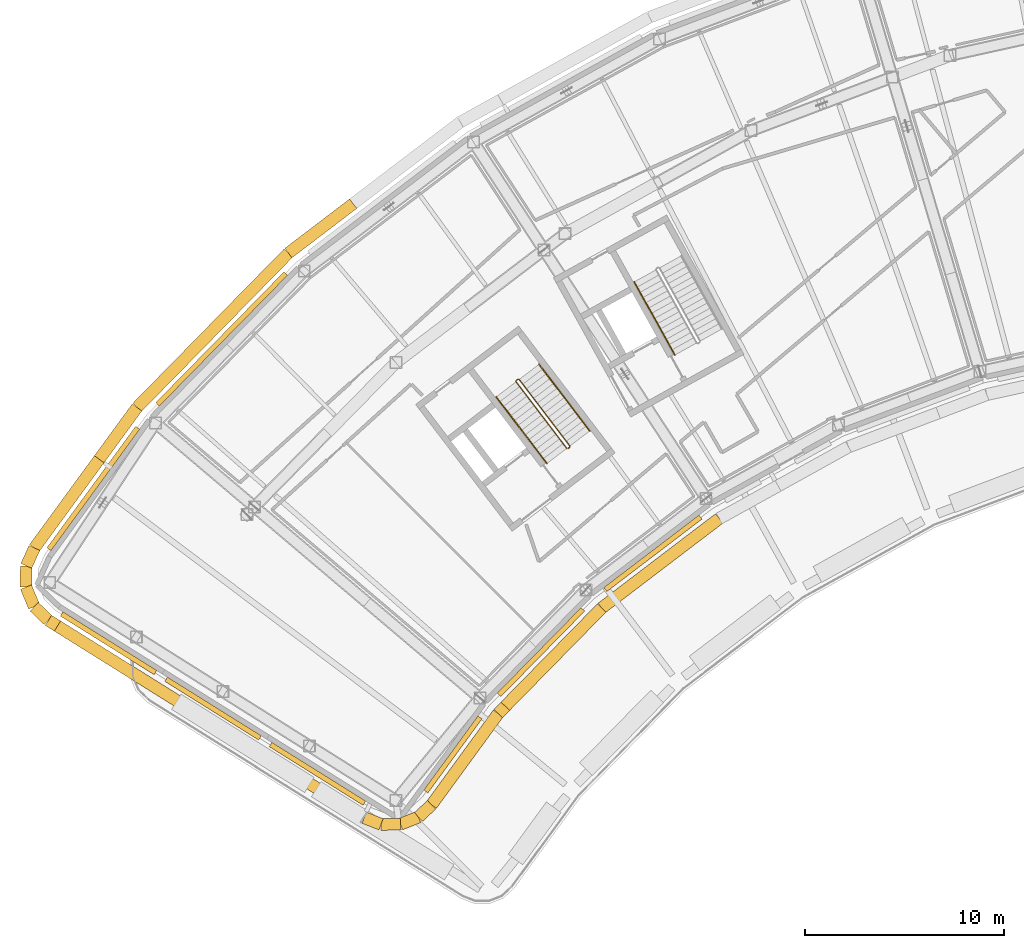
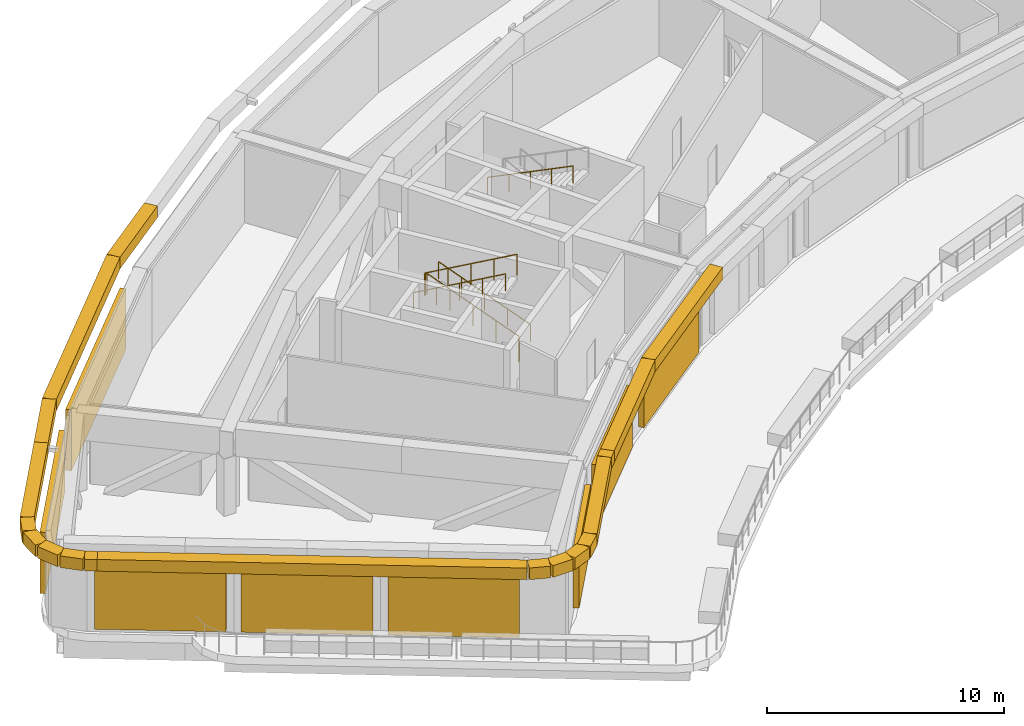
# One storey, part 19 of 24: 18 coverings, 8 shading devices, 4 railings.
"""IFC4 building model written with IfcOpenShell, lengths in metres."""

from ifc_helpers import new_model, si_unit, direction, frame, origin, origin_2d, place, context, subcontext, project, spatial, rectangle, circle, extrude, material, material_profile, profile_set, type_object, element, save


model = new_model("IFC4")

# Units and contexts
model_context = context("Model", 3, precision=1e-05, world=origin(), true_north=direction((0.0, 1.0)))
body_context = subcontext(model_context, "Body", "Model", "MODEL_VIEW")
ifc_project = project(units=[si_unit("LENGTHUNIT", "METRE"), si_unit("AREAUNIT", "SQUARE_METRE"), si_unit("VOLUMEUNIT", "CUBIC_METRE"), si_unit("PLANEANGLEUNIT", "RADIAN"), si_unit("MASSUNIT", "GRAM", prefix="KILO")], contexts=[model_context])

# Site, building, storey
site_placement = place(None, origin())
site = spatial("IfcSite", under=ifc_project, at=site_placement, CompositionType="ELEMENT")
building_placement = place(site_placement, origin())
building = spatial("IfcBuilding", under=site, at=building_placement, Name="Tuul Gate Civic Tower", CompositionType="ELEMENT")
storey_placement = place(building_placement, frame((0.0, 0.0, 315.199951171875)))
storey = spatial("IfcBuildingStorey", under=building, at=storey_placement, Name="Plant and refuge floor 7", CompositionType="ELEMENT", Elevation=315.199951171875)

# Shading devices
ifc_material_1 = material(Name="Aluminium louvre", Category="aluminium")
shading_device_type = type_object("IfcShadingDeviceType", Name="Louvre panel", PredefinedType="USERDEFINED", material=ifc_material_1)
shading_device_1_placement = place(storey_placement, frame((-50.853271484375, -8.072998046875, 0.300048828125), z_axis=(0.0, 0.0, 1.0), x_axis=(-0.714100212908, 0.700043488595, 0.0)))
element("IfcShadingDevice", 1, at=shading_device_1_placement, inside=storey, type_object=shading_device_type, Name="Louvre panel", ObjectType="LOUVRE", PredefinedType="USERDEFINED", context=body_context, shape_type="SweptSolid", body=[
    extrude(rectangle(XDim=0.25, YDim=9.199951171875, at=origin_2d()), origin(), (0.0, 0.0, 1.0), 3.14990234375),
])
shading_device_2_placement = place(storey_placement, frame((-57.294677734375, -15.577880859375, 0.300048828125), z_axis=(0.0, 0.0, 1.0), x_axis=(-0.807578487079, 0.589760109881, 0.0)))
element("IfcShadingDevice", 2, at=shading_device_2_placement, inside=storey, type_object=shading_device_type, Name="Louvre panel", ObjectType="LOUVRE", PredefinedType="USERDEFINED", context=body_context, shape_type="SweptSolid", body=[
    extrude(rectangle(XDim=0.25, YDim=7.550048828125, at=origin_2d()), origin(), (0.0, 0.0, 1.0), 3.14990234375),
])
for number, where, z_axis, x_axis, name in (
    (3, (-56.529541015625, -23.34814453125, 0.300048828125), (0.0, 0.0, 1.0), (-0.529911707044, -0.848052818366, 0.0), "Louvre panel"),
    (4, (-51.2861328125, -26.62451171875, 0.300048828125), (0.0, 0.0, 1.0), (-0.529911707044, -0.848052818366, 0.0), "Louvre panel"),
    (5, (-46.04296875, -29.90087890625, 0.300048828125), (0.0, 0.0, 1.0), (-0.529911707044, -0.848052818366, 0.0), "Louvre panel"),
):
    element("IfcShadingDevice", number, at=place(storey_placement, frame(where, z_axis=z_axis, x_axis=x_axis)), inside=storey, type_object=shading_device_type, Name=name, ObjectType="LOUVRE", PredefinedType="USERDEFINED", context=body_context, shape_type="SweptSolid", body=[
        extrude(rectangle(XDim=0.25, YDim=5.550048828125, at=origin_2d()), origin(), (0.0, 0.0, 1.0), 3.14990234375),
    ])
shading_device_3_placement = place(storey_placement, frame((-39.244140625, -28.927001953125, 0.300048828125), z_axis=(0.0, 0.0, 1.0), x_axis=(0.807595190444, -0.589737236717, 0.0)))
element("IfcShadingDevice", 6, at=shading_device_3_placement, inside=storey, type_object=shading_device_type, Name="Louvre panel", ObjectType="LOUVRE", PredefinedType="USERDEFINED", context=body_context, shape_type="SweptSolid", body=[
    extrude(rectangle(XDim=0.25, YDim=4.60009765625, at=origin_2d()), origin(), (0.0, 0.0, 1.0), 3.14990234375),
])
for number, where, z_axis, x_axis, name in (
    (7, (-34.8212890625, -23.78857421875, 0.300048828125), (0.0, 0.0, 1.0), (0.714048093092, -0.700096651008, 0.0), "Louvre panel"),
    (8, (-29.206298828125, -18.83349609375, 0.300048828125), (0.0, 0.0, 1.0), (0.605851052715, -0.795578092914, 0.0), "Louvre panel"),
):
    element("IfcShadingDevice", number, at=place(storey_placement, frame(where, z_axis=z_axis, x_axis=x_axis)), inside=storey, type_object=shading_device_type, Name=name, ObjectType="LOUVRE", PredefinedType="USERDEFINED", context=body_context, shape_type="SweptSolid", body=[
        extrude(rectangle(XDim=0.25, YDim=6.0, at=origin_2d()), origin(), (0.0, 0.0, 1.0), 3.14990234375),
    ])

# Railings
ifc_material_2 = material(Name="Painted steel", Category="steel")
railing_type_1 = type_object("IfcRailingType", Name="Stair guard", PredefinedType="GUARDRAIL", material=ifc_material_2)
railing_1_placement = place(storey_placement, frame((-33.382080078125, -13.515380859375, 0.0)))
element("IfcRailing", 9, at=railing_1_placement, inside=storey, type_object=railing_type_1, Name="Plant and refuge floor 7 ST-1 stair guard 1", PredefinedType="GUARDRAIL", context=body_context, shape_type="SweptSolid", body=[
    extrude(circle(Radius=0.02392578125, at=origin_2d()), frame((0.0, 0.0, 1.076171875), z_axis=(-0.795879841968, -0.605454603706, 0.0), x_axis=(0.605454603706, -0.795879841968, 0.0)), (0.0, 0.0, 1.0), 0.10009765625),
    extrude(circle(Radius=0.02392578125, at=origin_2d()), frame((-0.07958984375, -0.060546875, 1.076171875), z_axis=(0.408676696321, 0.599019267211, 0.688592241747), x_axis=(-0.826063974707, 0.563576356576, 0.0)), (0.0, 0.0, 1.0), 0.218017578125),
    extrude(circle(Radius=0.02392578125, at=origin_2d()), frame((0.009521484375, 0.070068359375, 1.22607421875), z_axis=(-0.541829058468, 0.711641332238, 0.44720005104), x_axis=(-0.795633173153, -0.605778716842, 0.0)), (0.0, 0.0, 1.0), 4.695556640625),
    extrude(circle(Radius=0.02392578125, at=origin_2d()), frame((-2.53466796875, 3.41162109375, 3.326171875), z_axis=(-0.990893089246, 0.134650977284, 0.0), x_axis=(-0.134650977284, -0.990893089246, 0.0)), (0.0, 0.0, 1.0), 0.07080078125),
    extrude(circle(Radius=0.02392578125, at=origin_2d()), frame((-2.604736328125, 3.421142578125, 3.326171875), z_axis=(-0.795879841968, -0.605454603706, 0.0), x_axis=(0.605454603706, -0.795879841968, 0.0)), (0.0, 0.0, 1.0), 0.10009765625),
    extrude(circle(Radius=0.02392578125, at=origin_2d()), frame((-2.684326171875, 3.360595703125, 3.326171875), z_axis=(-0.057370624079, -0.422188951554, 0.904690610473), x_axis=(0.990893089246, -0.134650977284, 0.0)), (0.0, 0.0, 1.0), 0.166015625),
    extrude(circle(Radius=0.02392578125, at=origin_2d()), frame((-2.69384765625, 3.29052734375, 3.47607421875), z_axis=(0.541829058468, -0.711641332238, 0.44720005104), x_axis=(0.795633173153, 0.605778716842, 0.0)), (0.0, 0.0, 1.0), 4.695556640625),
    extrude(circle(Radius=0.02099609375, at=origin_2d()), origin(), (0.0, 0.0, 1.0), 1.052001953125),
    extrude(circle(Radius=0.02099609375, at=origin_2d()), frame((-0.07958984375, -0.060546875, 0.0)), (0.0, 0.0, 1.0), 1.052001953125),
    extrude(circle(Radius=0.02099609375, at=origin_2d()), frame((0.009521484375, 0.070068359375, 0.150146484375)), (0.0, 0.0, 1.0), 1.052001953125),
    extrude(circle(Radius=0.02099609375, at=origin_2d()), frame((-0.62646484375, 0.905517578125, 0.675048828125)), (0.0, 0.0, 1.0), 1.052001953125),
    extrude(circle(Radius=0.02099609375, at=origin_2d()), frame((-1.2626953125, 1.74072265625, 1.2001953125)), (0.0, 0.0, 1.0), 1.052001953125),
    extrude(circle(Radius=0.02099609375, at=origin_2d()), frame((-1.898681640625, 2.576171875, 1.72509765625)), (0.0, 0.0, 1.0), 1.052001953125),
    extrude(circle(Radius=0.02099609375, at=origin_2d()), frame((-2.53466796875, 3.41162109375, 2.25)), (0.0, 0.0, 1.0), 1.052001953125),
    extrude(circle(Radius=0.02099609375, at=origin_2d()), frame((-2.604736328125, 3.421142578125, 2.25)), (0.0, 0.0, 1.0), 1.052001953125),
    extrude(circle(Radius=0.02099609375, at=origin_2d()), frame((-2.684326171875, 3.360595703125, 2.25)), (0.0, 0.0, 1.0), 1.052001953125),
    extrude(circle(Radius=0.02099609375, at=origin_2d()), frame((-2.69384765625, 3.29052734375, 2.400146484375)), (0.0, 0.0, 1.0), 1.052001953125),
    extrude(circle(Radius=0.02099609375, at=origin_2d()), frame((-2.057861328125, 2.455078125, 2.925048828125)), (0.0, 0.0, 1.0), 1.052001953125),
    extrude(circle(Radius=0.02099609375, at=origin_2d()), frame((-1.421875, 1.61962890625, 3.4501953125)), (0.0, 0.0, 1.0), 1.052001953125),
    extrude(circle(Radius=0.02099609375, at=origin_2d()), frame((-0.78564453125, 0.784423828125, 3.97509765625)), (0.0, 0.0, 1.0), 1.052001953125),
    extrude(circle(Radius=0.02099609375, at=origin_2d()), frame((-0.149658203125, -0.051025390625, 4.5)), (0.0, 0.0, 1.0), 1.052001953125),
])
ifc_material_3 = material(Name="Painted steel", Category="steel")
railing_type_2 = type_object("IfcRailingType", Name="Stair handrail", PredefinedType="HANDRAIL", material=ifc_material_3)
railing_2_placement = place(storey_placement, frame((-32.3779296875, -12.688232421875, 0.150146484375)))
element("IfcRailing", 10, at=railing_2_placement, inside=storey, type_object=railing_type_2, Name="Plant and refuge floor 7 ST-1 stair handrail 1", PredefinedType="HANDRAIL", context=body_context, shape_type="SweptSolid", body=[
    extrude(circle(Radius=0.02392578125, at=origin_2d()), frame((0.0, 0.0, 0.8759765625), z_axis=(-0.541809010604, 0.711666993297, 0.447183504482), x_axis=(-0.795654503725, -0.605750700125, 0.0)), (0.0, 0.0, 1.0), 4.69580078125),
    extrude(circle(Radius=0.02099609375, at=origin_2d()), origin(), (0.0, 0.0, 1.0), 0.851806640625),
    extrude(circle(Radius=0.02099609375, at=origin_2d()), frame((-0.635986328125, 0.83544921875, 0.52490234375)), (0.0, 0.0, 1.0), 0.851806640625),
    extrude(circle(Radius=0.02099609375, at=origin_2d()), frame((-1.27197265625, 1.6708984375, 1.0498046875)), (0.0, 0.0, 1.0), 0.851806640625),
    extrude(circle(Radius=0.02099609375, at=origin_2d()), frame((-1.908203125, 2.50634765625, 1.574951171875)), (0.0, 0.0, 1.0), 0.851806640625),
    extrude(circle(Radius=0.02099609375, at=origin_2d()), frame((-2.544189453125, 3.341796875, 2.099853515625)), (0.0, 0.0, 1.0), 0.851806640625),
])
railing_3_placement = place(storey_placement, frame((-37.0703125, -10.98193359375, 2.400146484375)))
element("IfcRailing", 11, at=railing_3_placement, inside=storey, type_object=railing_type_2, Name="Plant and refuge floor 7 ST-1 stair handrail 2", PredefinedType="HANDRAIL", context=body_context, shape_type="SweptSolid", body=[
    extrude(circle(Radius=0.02392578125, at=origin_2d()), frame((0.0, 0.0, 0.8759765625), z_axis=(0.541809010604, -0.711666993297, 0.447183504482), x_axis=(0.795654503725, 0.605750700125, 0.0)), (0.0, 0.0, 1.0), 4.69580078125),
    extrude(circle(Radius=0.02099609375, at=origin_2d()), origin(), (0.0, 0.0, 1.0), 0.851806640625),
    extrude(circle(Radius=0.02099609375, at=origin_2d()), frame((0.635986328125, -0.83544921875, 0.52490234375)), (0.0, 0.0, 1.0), 0.851806640625),
    extrude(circle(Radius=0.02099609375, at=origin_2d()), frame((1.27197265625, -1.6708984375, 1.0498046875)), (0.0, 0.0, 1.0), 0.851806640625),
    extrude(circle(Radius=0.02099609375, at=origin_2d()), frame((1.908203125, -2.50634765625, 1.574951171875)), (0.0, 0.0, 1.0), 0.851806640625),
    extrude(circle(Radius=0.02099609375, at=origin_2d()), frame((2.544189453125, -3.341796875, 2.099853515625)), (0.0, 0.0, 1.0), 0.851806640625),
])
railing_4_placement = place(storey_placement, frame((-30.142578125, -5.208740234375, 2.400146484375)))
element("IfcRailing", 12, at=railing_4_placement, inside=storey, type_object=railing_type_2, Name="Plant and refuge floor 7 ST-2 stair handrail 2", PredefinedType="HANDRAIL", context=body_context, shape_type="SweptSolid", body=[
    extrude(circle(Radius=0.02392578125, at=origin_2d()), frame((0.0, 0.0, 0.8759765625), z_axis=(0.433608177227, -0.782314417595, 0.447177929536), x_axis=(0.874636671229, 0.484779014956, 0.0)), (0.0, 0.0, 1.0), 4.69580078125),
    extrude(circle(Radius=0.02099609375, at=origin_2d()), origin(), (0.0, 0.0, 1.0), 0.851806640625),
    extrude(circle(Radius=0.02099609375, at=origin_2d()), frame((0.509033203125, -0.91845703125, 0.52490234375)), (0.0, 0.0, 1.0), 0.851806640625),
    extrude(circle(Radius=0.02099609375, at=origin_2d()), frame((1.01806640625, -1.8369140625, 1.0498046875)), (0.0, 0.0, 1.0), 0.851806640625),
    extrude(circle(Radius=0.02099609375, at=origin_2d()), frame((1.527099609375, -2.755126953125, 1.574951171875)), (0.0, 0.0, 1.0), 0.851806640625),
    extrude(circle(Radius=0.02099609375, at=origin_2d()), frame((2.0361328125, -3.673583984375, 2.099853515625)), (0.0, 0.0, 1.0), 0.851806640625),
])

# Coverings
ifc_material_4 = material(Name="Terracotta baguette", Category="masonry")
ifc_material_profile = material_profile(ifc_material_4, rectangle(XDim=0.60009765625, YDim=0.60009765625, at=origin_2d()), Name="Terracotta baguette screen frame")
ifc_profile_set = profile_set([ifc_material_profile], Name="Terracotta baguette")
covering_type = type_object("IfcCoveringType", Name="Terracotta baguette screen frame", PredefinedType="CLADDING", material=ifc_profile_set)
covering_1_placement = place(storey_placement, frame((-56.997802734375, -14.11181640625, 4.150146484375), z_axis=(-0.589768947731, -0.807572032881, 0.0), x_axis=(0.807572032881, -0.589768947731, 0.0)))
element("IfcCovering", 13, at=covering_1_placement, inside=storey, type_object=covering_type, Name="Baguette 129", PredefinedType="CLADDING", context=body_context, shape_type="SweptSolid", body=[
    extrude(rectangle(XDim=0.60009765625, YDim=0.60009765625, at=origin_2d()), origin(), (0.0, 0.0, 1.0), 5.5126953125),
])
covering_2_placement = place(storey_placement, frame((-60.2490234375, -18.563720703125, 4.150146484375), z_axis=(-0.413598168861, -0.910459529422, 0.0), x_axis=(0.910459529422, -0.413598168861, 0.0)))
element("IfcCovering", 14, at=covering_2_placement, inside=storey, type_object=covering_type, Name="Baguette 130", PredefinedType="CLADDING", context=body_context, shape_type="SweptSolid", body=[
    extrude(rectangle(XDim=0.60009765625, YDim=0.60009765625, at=origin_2d()), origin(), (0.0, 0.0, 1.0), 0.988037109375),
])
covering_3_placement = place(storey_placement, frame((-60.65771484375, -19.46337890625, 4.150146484375), z_axis=(-0.014401798397, -0.999896288723, 0.0), x_axis=(0.999896288723, -0.014401798397, 0.0)))
element("IfcCovering", 15, at=covering_3_placement, inside=storey, type_object=covering_type, Name="Baguette 131", PredefinedType="CLADDING", context=body_context, shape_type="SweptSolid", body=[
    extrude(rectangle(XDim=0.60009765625, YDim=0.60009765625, at=origin_2d()), origin(), (0.0, 0.0, 1.0), 1.06787109375),
])
covering_4_placement = place(storey_placement, frame((-60.673095703125, -20.53125, 4.150146484375), z_axis=(0.38567152588, -0.92263615479, 0.0), x_axis=(0.92263615479, 0.38567152588, 0.0)))
element("IfcCovering", 16, at=covering_4_placement, inside=storey, type_object=covering_type, Name="Baguette 132", PredefinedType="CLADDING", context=body_context, shape_type="SweptSolid", body=[
    extrude(rectangle(XDim=0.60009765625, YDim=0.60009765625, at=origin_2d()), origin(), (0.0, 0.0, 1.0), 1.066650390625),
])
covering_5_placement = place(storey_placement, frame((-60.26171875, -21.515380859375, 4.150146484375), z_axis=(0.722013911671, -0.691878538006, 0.0), x_axis=(0.691878538006, 0.722013911671, 0.0)))
element("IfcCovering", 17, at=covering_5_placement, inside=storey, type_object=covering_type, Name="Baguette 133", PredefinedType="CLADDING", context=body_context, shape_type="SweptSolid", body=[
    extrude(rectangle(XDim=0.60009765625, YDim=0.60009765625, at=origin_2d()), origin(), (0.0, 0.0, 1.0), 0.98828125),
])
covering_6_placement = place(storey_placement, frame((-59.548095703125, -22.19921875, 4.150146484375), z_axis=(0.848381011335, -0.529386115804, 0.0), x_axis=(0.529386115804, 0.848381011335, 0.0)))
element("IfcCovering", 18, at=covering_6_placement, inside=storey, type_object=covering_type, Name="Baguette 134", PredefinedType="CLADDING", context=body_context, shape_type="SweptSolid", body=[
    extrude(rectangle(XDim=0.60009765625, YDim=0.60009765625, at=origin_2d()), origin(), (0.0, 0.0, 1.0), 0.537353515625),
])
covering_7_placement = place(storey_placement, frame((-43.692626953125, -32.106201171875, 4.150146484375), z_axis=(0.931801188997, -0.362969067807, 0.0), x_axis=(0.362969067807, 0.931801188997, 0.0)))
element("IfcCovering", 19, at=covering_7_placement, inside=storey, type_object=covering_type, Name="Baguette 158", PredefinedType="CLADDING", context=body_context, shape_type="SweptSolid", body=[
    extrude(rectangle(XDim=0.60009765625, YDim=0.60009765625, at=origin_2d()), origin(), (0.0, 0.0, 1.0), 0.9013671875),
])
covering_8_placement = place(storey_placement, frame((-42.852783203125, -32.433349609375, 4.150146484375), z_axis=(0.999996195982, 0.002758264332, 0.0), x_axis=(-0.002758264332, 0.999996195982, 0.0)))
element("IfcCovering", 20, at=covering_8_placement, inside=storey, type_object=covering_type, Name="Baguette 159", PredefinedType="CLADDING", context=body_context, shape_type="SweptSolid", body=[
    extrude(rectangle(XDim=0.60009765625, YDim=0.60009765625, at=origin_2d()), origin(), (0.0, 0.0, 1.0), 0.9736328125),
])
covering_9_placement = place(storey_placement, frame((-41.879150390625, -32.4306640625, 4.150146484375), z_axis=(0.929097482407, 0.369834920181, 0.0), x_axis=(-0.369834920181, 0.929097482407, 0.0)))
element("IfcCovering", 21, at=covering_9_placement, inside=storey, type_object=covering_type, Name="Baguette 160", PredefinedType="CLADDING", context=body_context, shape_type="SweptSolid", body=[
    extrude(rectangle(XDim=0.60009765625, YDim=0.60009765625, at=origin_2d()), origin(), (0.0, 0.0, 1.0), 0.974365234375),
])
covering_10_placement = place(storey_placement, frame((-40.973876953125, -32.0703125, 4.150146484375), z_axis=(0.730018523193, 0.68342735956, 0.0), x_axis=(-0.68342735956, 0.730018523193, 0.0)))
element("IfcCovering", 22, at=covering_10_placement, inside=storey, type_object=covering_type, Name="Baguette 161", PredefinedType="CLADDING", context=body_context, shape_type="SweptSolid", body=[
    extrude(rectangle(XDim=0.60009765625, YDim=0.60009765625, at=origin_2d()), origin(), (0.0, 0.0, 1.0), 0.9013671875),
])
covering_11_placement = place(storey_placement, frame((-40.31591796875, -31.454345703125, 4.150146484375), z_axis=(0.589729447422, 0.807600878432, 0.0), x_axis=(-0.807600878432, 0.589729447422, 0.0)))
element("IfcCovering", 23, at=covering_11_placement, inside=storey, type_object=covering_type, Name="Baguette 162", PredefinedType="CLADDING", context=body_context, shape_type="SweptSolid", body=[
    extrude(rectangle(XDim=0.60009765625, YDim=0.60009765625, at=origin_2d()), origin(), (0.0, 0.0, 1.0), 5.671142578125),
])
covering_12_placement = place(storey_placement, frame((-36.971435546875, -26.874267578125, 4.150146484375), z_axis=(0.699889510054, 0.714251127907, 0.0), x_axis=(-0.714251127907, 0.699889510054, 0.0)))
element("IfcCovering", 24, at=covering_12_placement, inside=storey, type_object=covering_type, Name="Baguette 163", PredefinedType="CLADDING", context=body_context, shape_type="SweptSolid", body=[
    extrude(rectangle(XDim=0.60009765625, YDim=0.60009765625, at=origin_2d()), origin(), (0.0, 0.0, 1.0), 0.510009765625),
])
covering_13_placement = place(storey_placement, frame((-44.248779296875, -1.284423828125, 4.150146484375), z_axis=(-0.79562221551, -0.605793108402, 0.0), x_axis=(0.605793108402, -0.79562221551, 0.0)))
element("IfcCovering", 25, at=covering_13_placement, inside=storey, type_object=covering_type, Name="Baguette 391", PredefinedType="CLADDING", context=body_context, shape_type="SweptSolid", body=[
    extrude(rectangle(XDim=0.60009765625, YDim=0.60009765625, at=origin_2d()), origin(), (0.0, 0.0, 1.0), 4.088623046875),
])
covering_14_placement = place(storey_placement, frame((-47.501708984375, -3.76123046875, 4.150146484375), z_axis=(-0.700040591401, -0.714103053061, 0.0), x_axis=(0.714103053061, -0.700040591401, 0.0)))
element("IfcCovering", 26, at=covering_14_placement, inside=storey, type_object=covering_type, Name="Baguette 392", PredefinedType="CLADDING", context=body_context, shape_type="SweptSolid", body=[
    extrude(rectangle(XDim=0.60009765625, YDim=0.60009765625, at=origin_2d()), origin(), (0.0, 0.0, 1.0), 10.850830078125),
])
covering_15_placement = place(storey_placement, frame((-55.09765625, -11.509765625, 4.150146484375), z_axis=(-0.589742982723, -0.807590994458, 0.0), x_axis=(0.807590994458, -0.589742982723, 0.0)))
element("IfcCovering", 27, at=covering_15_placement, inside=storey, type_object=covering_type, Name="Baguette 393", PredefinedType="CLADDING", context=body_context, shape_type="SweptSolid", body=[
    extrude(rectangle(XDim=0.60009765625, YDim=0.60009765625, at=origin_2d()), origin(), (0.0, 0.0, 1.0), 3.221923828125),
])
covering_16_placement = place(storey_placement, frame((-59.09228515625, -22.483642578125, 4.150146484375), z_axis=(0.848051326016, -0.529914095342, 0.0), x_axis=(0.529914095342, 0.848051326016, 0.0)))
element("IfcCovering", 28, at=covering_16_placement, inside=storey, type_object=covering_type, Name="Baguette 394", PredefinedType="CLADDING", context=body_context, shape_type="SweptSolid", body=[
    extrude(rectangle(XDim=0.60009765625, YDim=0.60009765625, at=origin_2d()), origin(), (0.0, 0.0, 1.0), 18.106201171875),
])
covering_17_placement = place(storey_placement, frame((-36.614501953125, -26.510009765625, 4.150146484375), z_axis=(0.700127594566, 0.71401775281, 0.0), x_axis=(-0.71401775281, 0.700127594566, 0.0)))
element("IfcCovering", 29, at=covering_17_placement, inside=storey, type_object=covering_type, Name="Baguette 395", PredefinedType="CLADDING", context=body_context, shape_type="SweptSolid", body=[
    extrude(rectangle(XDim=0.60009765625, YDim=0.60009765625, at=origin_2d()), origin(), (0.0, 0.0, 1.0), 6.907470703125),
])
covering_18_placement = place(storey_placement, frame((-31.7783203125, -21.577880859375, 4.150146484375), z_axis=(0.795554853025, 0.605881569144, 0.0), x_axis=(-0.605881569144, 0.795554853025, 0.0)))
element("IfcCovering", 30, at=covering_18_placement, inside=storey, type_object=covering_type, Name="Baguette 396", PredefinedType="CLADDING", context=body_context, shape_type="SweptSolid", body=[
    extrude(rectangle(XDim=0.60009765625, YDim=0.60009765625, at=origin_2d()), origin(), (0.0, 0.0, 1.0), 7.41796875),
])

save(model, "model.ifc")
